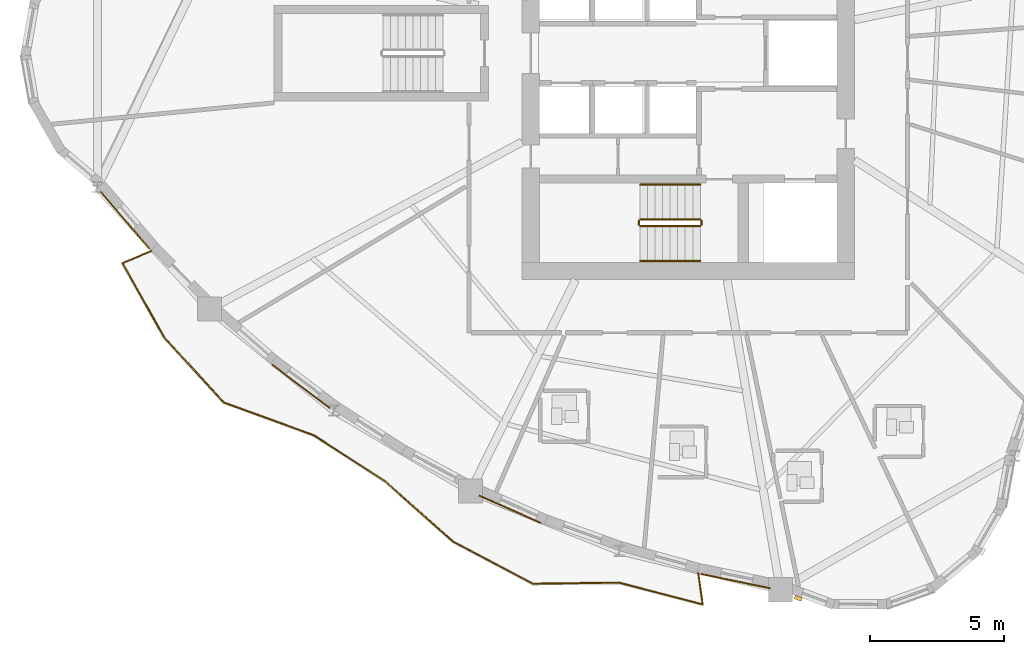
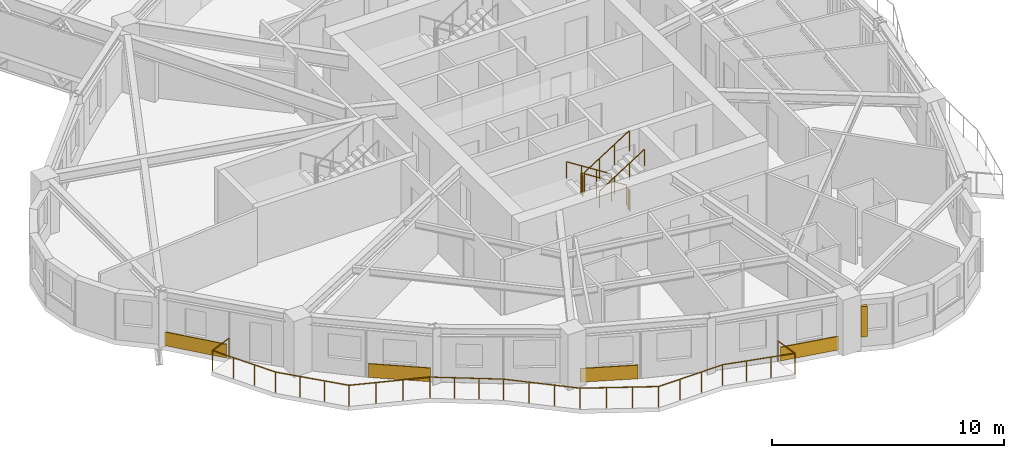
# One storey, part 13 of 16: 7 railings, 4 coverings, 1 shading device.
"""IFC4 building model written with IfcOpenShell, lengths in metres."""

from ifc_helpers import new_model, si_unit, direction, frame, origin, origin_2d, place, context, subcontext, project, spatial, rectangle, circle, extrude, source, transform, mapped, material, layer, layer_set, type_object, element, save


model = new_model("IFC4")

# Units and contexts
model_context = context("Model", 3, precision=1e-05, world=origin(), true_north=direction((0.0, 1.0)))
body_context = subcontext(model_context, "Body", "Model", "MODEL_VIEW")
ifc_project = project(units=[si_unit("LENGTHUNIT", "METRE"), si_unit("AREAUNIT", "SQUARE_METRE"), si_unit("VOLUMEUNIT", "CUBIC_METRE"), si_unit("PLANEANGLEUNIT", "RADIAN"), si_unit("MASSUNIT", "GRAM", prefix="KILO")], contexts=[model_context])

# Site, building, storey
site_placement = place(None, origin())
site = spatial("IfcSite", under=ifc_project, at=site_placement, CompositionType="ELEMENT")
building_placement = place(site_placement, origin())
building = spatial("IfcBuilding", under=site, at=building_placement, Name="Qafzar Sky-Pleat Residences", CompositionType="ELEMENT")
storey_placement = place(building_placement, frame((0.0, 0.0, 80.0)))
storey = spatial("IfcBuildingStorey", under=building, at=storey_placement, Name="L23", CompositionType="ELEMENT", Elevation=80.0)

# Shading device
ifc_material_1 = material(Name="Honed Riyadh limestone solar fin", Category="masonry")
ifc_layer_1 = layer(ifc_material_1, 0.139892578125)
ifc_layer_set_1 = layer_set([ifc_layer_1], Name="Honed Riyadh limestone solar fin")
shading_device_type = type_object("IfcShadingDeviceType", Name="SHD-FIN-STONE", PredefinedType="SHUTTER", material=ifc_layer_set_1)
shared_shape_1 = source(origin(), body_context, "Body", "SweptSolid", [
    extrude(rectangle(XDim=0.139892578125, YDim=0.280029296875, at=origin_2d()), origin(), (0.0, 0.0, 1.0), 1.60009765625),
])
shading_device_placement = place(storey_placement, frame((34.455810546875, 5.665283203125, 0.599853515625), z_axis=(0.0, 0.0, 1.0), x_axis=(-0.349823000797, -0.936815813334, 0.0)))
element("IfcShadingDevice", 1, at=shading_device_placement, inside=storey, type_object=shading_device_type, Name="L23 Limestone Solar Fin 17", PredefinedType="SHUTTER", context=body_context, shape_type="MappedRepresentation", body=[
    mapped(shared_shape_1, transform((0.0, 0.0, 0.0), x_axis=(1.0, 0.0, 0.0), y_axis=(0.0, 1.0, 0.0), z_axis=(0.0, 0.0, 1.0), scale=1.0)),
])

# Railing
ifc_material_2 = material(Name="Laminated glass and bronze steel balustrade", Category="steel")
railing_type_1 = type_object("IfcRailingType", Name="RAIL-BAL-1100", PredefinedType="BALUSTRADE", material=ifc_material_2)
shared_shape_2 = source(origin(), body_context, "Body", "SweptSolid", [
    extrude(circle(Radius=0.02392578125, at=origin_2d()), frame((0.0, 0.0, 1.076171875), z_axis=(-0.922855988527, -0.385145199165, 0.0), x_axis=(0.385145199165, -0.922855988527, 0.0)), (0.0, 0.0, 1.0), 1.177734375),
    extrude(circle(Radius=0.02392578125, at=origin_2d()), frame((-1.0869140625, -0.45361328125, 1.076171875), z_axis=(0.489456684431, -0.872027610839, 0.0), x_axis=(0.872027610839, 0.489456684431, 0.0)), (0.0, 0.0, 1.0), 3.17041015625),
    extrude(circle(Radius=0.02392578125, at=origin_2d()), frame((0.46484375, -3.21826171875, 1.076171875), z_axis=(0.675260283354, -0.73757952095, 0.0), x_axis=(0.73757952095, 0.675260283354, 0.0)), (0.0, 0.0, 1.0), 3.310302734375),
    extrude(circle(Radius=0.02392578125, at=origin_2d()), frame((2.7001953125, -5.659912109375, 1.076171875), z_axis=(0.939887504357, -0.341484229728, 0.0), x_axis=(0.341484229728, 0.939887504357, 0.0)), (0.0, 0.0, 1.0), 3.5595703125),
    extrude(circle(Radius=0.02392578125, at=origin_2d()), frame((6.0458984375, -6.87548828125, 1.076171875), z_axis=(0.840624110411, -0.541618966614, 0.0), x_axis=(0.541618966614, 0.840624110411, 0.0)), (0.0, 0.0, 1.0), 3.164794921875),
    extrude(circle(Radius=0.02392578125, at=origin_2d()), frame((8.706298828125, -8.589599609375, 1.076171875), z_axis=(0.747353471395, -0.664426661712, 0.0), x_axis=(0.664426661712, 0.747353471395, 0.0)), (0.0, 0.0, 1.0), 3.376708984375),
    extrude(circle(Radius=0.02392578125, at=origin_2d()), frame((11.22998046875, -10.833251953125, 1.076171875), z_axis=(0.883677346715, -0.468096514517, 0.0), x_axis=(0.468096514517, 0.883677346715, 0.0)), (0.0, 0.0, 1.0), 3.384521484375),
    extrude(circle(Radius=0.02392578125, at=origin_2d()), frame((14.220703125, -12.41748046875, 1.076171875), z_axis=(0.99991742699, 0.012850649822, 0.0), x_axis=(-0.012850649822, 0.99991742699, 0.0)), (0.0, 0.0, 1.0), 3.210693359375),
    extrude(circle(Radius=0.02392578125, at=origin_2d()), frame((17.43115234375, -12.376220703125, 1.076171875), z_axis=(0.967842378985, -0.251557407842, 0.0), x_axis=(0.251557407842, 0.967842378985, 0.0)), (0.0, 0.0, 1.0), 3.23095703125),
    extrude(circle(Radius=0.02392578125, at=origin_2d()), frame((20.55810546875, -13.18896484375, 1.076171875), z_axis=(-0.13927388454, 0.990253899303, 0.0), x_axis=(-0.990253899303, -0.13927388454, 0.0)), (0.0, 0.0, 1.0), 1.177978515625),
    extrude(circle(Radius=0.02099609375, at=origin_2d()), origin(), (0.0, 0.0, 1.0), 1.052001953125),
    extrude(circle(Radius=0.02099609375, at=origin_2d()), frame((-1.0869140625, -0.45361328125, 0.0)), (0.0, 0.0, 1.0), 1.052001953125),
    extrude(circle(Radius=0.02099609375, at=origin_2d()), frame((-0.569580078125, -1.375244140625, 0.0)), (0.0, 0.0, 1.0), 1.052001953125),
    extrude(circle(Radius=0.02099609375, at=origin_2d()), frame((-0.052490234375, -2.296630859375, 0.0)), (0.0, 0.0, 1.0), 1.052001953125),
    extrude(circle(Radius=0.02099609375, at=origin_2d()), frame((0.46484375, -3.21826171875, 0.0)), (0.0, 0.0, 1.0), 1.052001953125),
    extrude(circle(Radius=0.02099609375, at=origin_2d()), frame((1.2099609375, -4.0322265625, 0.0)), (0.0, 0.0, 1.0), 1.052001953125),
    extrude(circle(Radius=0.02099609375, at=origin_2d()), frame((1.955078125, -4.845947265625, 0.0)), (0.0, 0.0, 1.0), 1.052001953125),
    extrude(circle(Radius=0.02099609375, at=origin_2d()), frame((2.7001953125, -5.659912109375, 0.0)), (0.0, 0.0, 1.0), 1.052001953125),
    extrude(circle(Radius=0.02099609375, at=origin_2d()), frame((3.8154296875, -6.065185546875, 0.0)), (0.0, 0.0, 1.0), 1.052001953125),
    extrude(circle(Radius=0.02099609375, at=origin_2d()), frame((4.9306640625, -6.47021484375, 0.0)), (0.0, 0.0, 1.0), 1.052001953125),
    extrude(circle(Radius=0.02099609375, at=origin_2d()), frame((6.0458984375, -6.87548828125, 0.0)), (0.0, 0.0, 1.0), 1.052001953125),
    extrude(circle(Radius=0.02099609375, at=origin_2d()), frame((6.9326171875, -7.44677734375, 0.0)), (0.0, 0.0, 1.0), 1.052001953125),
    extrude(circle(Radius=0.02099609375, at=origin_2d()), frame((7.819580078125, -8.018310546875, 0.0)), (0.0, 0.0, 1.0), 1.052001953125),
    extrude(circle(Radius=0.02099609375, at=origin_2d()), frame((8.706298828125, -8.589599609375, 0.0)), (0.0, 0.0, 1.0), 1.052001953125),
    extrude(circle(Radius=0.02099609375, at=origin_2d()), frame((9.547607421875, -9.33740234375, 0.0)), (0.0, 0.0, 1.0), 1.052001953125),
    extrude(circle(Radius=0.02099609375, at=origin_2d()), frame((10.388671875, -10.08544921875, 0.0)), (0.0, 0.0, 1.0), 1.052001953125),
    extrude(circle(Radius=0.02099609375, at=origin_2d()), frame((11.22998046875, -10.833251953125, 0.0)), (0.0, 0.0, 1.0), 1.052001953125),
    extrude(circle(Radius=0.02099609375, at=origin_2d()), frame((12.226806640625, -11.361328125, 0.0)), (0.0, 0.0, 1.0), 1.052001953125),
    extrude(circle(Radius=0.02099609375, at=origin_2d()), frame((13.223876953125, -11.889404296875, 0.0)), (0.0, 0.0, 1.0), 1.052001953125),
    extrude(circle(Radius=0.02099609375, at=origin_2d()), frame((14.220703125, -12.41748046875, 0.0)), (0.0, 0.0, 1.0), 1.052001953125),
    extrude(circle(Radius=0.02099609375, at=origin_2d()), frame((15.290771484375, -12.40380859375, 0.0)), (0.0, 0.0, 1.0), 1.052001953125),
    extrude(circle(Radius=0.02099609375, at=origin_2d()), frame((16.361083984375, -12.389892578125, 0.0)), (0.0, 0.0, 1.0), 1.052001953125),
    extrude(circle(Radius=0.02099609375, at=origin_2d()), frame((17.43115234375, -12.376220703125, 0.0)), (0.0, 0.0, 1.0), 1.052001953125),
    extrude(circle(Radius=0.02099609375, at=origin_2d()), frame((18.473388671875, -12.647216796875, 0.0)), (0.0, 0.0, 1.0), 1.052001953125),
    extrude(circle(Radius=0.02099609375, at=origin_2d()), frame((19.515869140625, -12.91796875, 0.0)), (0.0, 0.0, 1.0), 1.052001953125),
    extrude(circle(Radius=0.02099609375, at=origin_2d()), frame((20.55810546875, -13.18896484375, 0.0)), (0.0, 0.0, 1.0), 1.052001953125),
    extrude(circle(Radius=0.02099609375, at=origin_2d()), frame((20.39404296875, -12.0224609375, 0.0)), (0.0, 0.0, 1.0), 1.052001953125),
])
railing_1_placement = place(storey_placement, frame((10.333251953125, 18.625732421875, 0.0)))
element("IfcRailing", 2, at=railing_1_placement, inside=storey, type_object=railing_type_1, Name="L23 Pleated Balcony 2 Balustrade", PredefinedType="BALUSTRADE", context=body_context, shape_type="MappedRepresentation", body=[
    mapped(shared_shape_2, transform((0.0, 0.0, 0.0), x_axis=(1.0, 0.0, 0.0), y_axis=(0.0, 1.0, 0.0), z_axis=(0.0, 0.0, 1.0), scale=1.0)),
])

# Coverings
ifc_material_3 = material(Name="Honed Riyadh Tuwaiq limestone cladding", Category="masonry")
ifc_layer_2 = layer(ifc_material_3, 0.044921875)
ifc_layer_set_2 = layer_set([ifc_layer_2], Name="Honed Riyadh Tuwaiq limestone cladding")
covering_type = type_object("IfcCoveringType", Name="COV-CLAD-STONE", PredefinedType="CLADDING", material=ifc_layer_set_2)
shared_shape_3 = source(origin(), body_context, "Body", "SweptSolid", [
    extrude(rectangle(XDim=2.8291015625, YDim=0.044921875, at=origin_2d()), origin(), (0.0, 0.0, 1.0), 0.719970703125),
])
covering_1_placement = place(storey_placement, frame((9.32958984375, 19.78076171875, 0.02001953125), z_axis=(0.0, 0.0, 1.0), x_axis=(0.650752076981, -0.759290283294, 0.0)))
element("IfcCovering", 3, at=covering_1_placement, inside=storey, type_object=covering_type, Name="L23 Riyadh Limestone Spandrel Cladding 7", PredefinedType="CLADDING", context=body_context, shape_type="MappedRepresentation", body=[
    mapped(shared_shape_3, transform((0.0, 0.0, 0.0), x_axis=(1.0, 0.0, 0.0), y_axis=(0.0, 1.0, 0.0), z_axis=(0.0, 0.0, 1.0), scale=1.0)),
])
shared_shape_4 = source(origin(), body_context, "Body", "SweptSolid", [
    extrude(rectangle(XDim=2.695068359375, YDim=0.044921875, at=origin_2d()), origin(), (0.0, 0.0, 1.0), 0.719970703125),
])
covering_2_placement = place(storey_placement, frame((15.90673828125, 13.568603515625, 0.02001953125), z_axis=(0.0, 0.0, 1.0), x_axis=(0.798378158073, -0.602156388916, 0.0)))
element("IfcCovering", 4, at=covering_2_placement, inside=storey, type_object=covering_type, Name="L23 Riyadh Limestone Spandrel Cladding 10", PredefinedType="CLADDING", context=body_context, shape_type="MappedRepresentation", body=[
    mapped(shared_shape_4, transform((0.0, 0.0, 0.0), x_axis=(1.0, 0.0, 0.0), y_axis=(0.0, 1.0, 0.0), z_axis=(0.0, 0.0, 1.0), scale=1.0)),
])
shared_shape_5 = source(origin(), body_context, "Body", "SweptSolid", [
    extrude(rectangle(XDim=2.510498046875, YDim=0.044921875, at=origin_2d()), origin(), (0.0, 0.0, 1.0), 0.719970703125),
])
covering_3_placement = place(storey_placement, frame((23.697265625, 8.989501953125, 0.02001953125), z_axis=(0.0, 0.0, 1.0), x_axis=(0.913437161695, -0.406979792661, 0.0)))
element("IfcCovering", 5, at=covering_3_placement, inside=storey, type_object=covering_type, Name="L23 Riyadh Limestone Spandrel Cladding 13", PredefinedType="CLADDING", context=body_context, shape_type="MappedRepresentation", body=[
    mapped(shared_shape_5, transform((0.0, 0.0, 0.0), x_axis=(1.0, 0.0, 0.0), y_axis=(0.0, 1.0, 0.0), z_axis=(0.0, 0.0, 1.0), scale=1.0)),
])
shared_shape_6 = source(origin(), body_context, "Body", "SweptSolid", [
    extrude(rectangle(XDim=2.644775390625, YDim=0.044921875, at=origin_2d()), origin(), (0.0, 0.0, 1.0), 0.719970703125),
])
covering_4_placement = place(storey_placement, frame((32.123046875, 6.304931640625, 0.02001953125), z_axis=(0.0, 0.0, 1.0), x_axis=(0.979433511732, -0.201767182901, 0.0)))
element("IfcCovering", 6, at=covering_4_placement, inside=storey, type_object=covering_type, Name="L23 Riyadh Limestone Spandrel Cladding 16", PredefinedType="CLADDING", context=body_context, shape_type="MappedRepresentation", body=[
    mapped(shared_shape_6, transform((0.0, 0.0, 0.0), x_axis=(1.0, 0.0, 0.0), y_axis=(0.0, 1.0, 0.0), z_axis=(0.0, 0.0, 1.0), scale=1.0)),
])

# Railings
ifc_material_4 = material(Name="Painted Steel S355 stair guardrail", Category="steel")
railing_type_2 = type_object("IfcRailingType", Name="RAIL-STAIR-GUARD", PredefinedType="GUARDRAIL", material=ifc_material_4)
shared_shape_7 = source(origin(), body_context, "Body", "SweptSolid", [
    extrude(circle(Radius=0.02392578125, at=origin_2d()), frame((0.0, 0.0, 1.076171875), z_axis=(0.0, -1.0, 0.0), x_axis=(1.0, 0.0, 0.0)), (0.0, 0.0, 1.0), 0.14990234375),
    extrude(circle(Radius=0.02099609375, at=origin_2d()), origin(), (0.0, 0.0, 1.0), 1.052001953125),
    extrude(circle(Radius=0.02099609375, at=origin_2d()), frame((0.0, -0.14990234375, 0.0)), (0.0, 0.0, 1.0), 1.052001953125),
])
for number, where, name in (
    (7, (28.510009765625, 19.75, 1.60009765625), "L23 ST1 stair guard 2"),
    (8, (30.85009765625, 19.75, 0.0), "L23 ST1 stair guard 4"),
):
    element("IfcRailing", number, at=place(storey_placement, frame(where)), inside=storey, type_object=railing_type_2, Name=name, PredefinedType="GUARDRAIL", context=body_context, shape_type="MappedRepresentation", body=[
        mapped(shared_shape_7, transform((0.0, 0.0, 0.0), x_axis=(1.0, 0.0, 0.0), y_axis=(0.0, 1.0, 0.0), z_axis=(0.0, 0.0, 1.0), scale=1.0)),
    ])
shared_shape_8 = source(origin(), body_context, "Body", "SweptSolid", [
    extrude(circle(Radius=0.02392578125, at=origin_2d()), frame((0.0, 0.0, 1.076171875), z_axis=(0.8442293374, 0.0, 0.53598211339), x_axis=(0.0, 1.0, 0.0)), (0.0, 0.0, 1.0), 2.6533203125),
    extrude(circle(Radius=0.02099609375, at=origin_2d()), origin(), (0.0, 0.0, 1.0), 1.052001953125),
    extrude(circle(Radius=0.02099609375, at=origin_2d()), frame((0.74658203125, 0.0, 0.47412109375)), (0.0, 0.0, 1.0), 1.052001953125),
    extrude(circle(Radius=0.02099609375, at=origin_2d()), frame((1.493408203125, 0.0, 0.947998046875)), (0.0, 0.0, 1.0), 1.052001953125),
    extrude(circle(Radius=0.02099609375, at=origin_2d()), frame((2.239990234375, 0.0, 1.422119140625)), (0.0, 0.0, 1.0), 1.052001953125),
])
railing_2_placement = place(storey_placement, frame((28.56005859375, 19.550048828125, 1.77783203125)))
element("IfcRailing", 9, at=railing_2_placement, inside=storey, type_object=railing_type_2, Name="L23 ST1 stair guard 3", PredefinedType="GUARDRAIL", context=body_context, shape_type="MappedRepresentation", body=[
    mapped(shared_shape_8, transform((0.0, 0.0, 0.0), x_axis=(1.0, 0.0, 0.0), y_axis=(0.0, 1.0, 0.0), z_axis=(0.0, 0.0, 1.0), scale=1.0)),
])
ifc_material_5 = material(Name="Brushed stainless steel handrail", Category="steel")
railing_type_3 = type_object("IfcRailingType", Name="RAIL-STAIR-HAND", PredefinedType="HANDRAIL", material=ifc_material_5)
shared_shape_9 = source(origin(), body_context, "Body", "SweptSolid", [
    extrude(circle(Radius=0.02392578125, at=origin_2d()), frame((0.0, 0.0, 0.8759765625), z_axis=(0.8442293374, 0.0, 0.53598211339), x_axis=(0.0, 1.0, 0.0)), (0.0, 0.0, 1.0), 2.6533203125),
    extrude(circle(Radius=0.02099609375, at=origin_2d()), origin(), (0.0, 0.0, 1.0), 0.851806640625),
    extrude(circle(Radius=0.02099609375, at=origin_2d()), frame((0.74658203125, 0.0, 0.47412109375)), (0.0, 0.0, 1.0), 0.851806640625),
    extrude(circle(Radius=0.02099609375, at=origin_2d()), frame((1.493408203125, 0.0, 0.947998046875)), (0.0, 0.0, 1.0), 0.851806640625),
    extrude(circle(Radius=0.02099609375, at=origin_2d()), frame((2.239990234375, 0.0, 1.422119140625)), (0.0, 0.0, 1.0), 0.851806640625),
])
railing_3_placement = place(storey_placement, frame((28.56005859375, 18.25, 1.77783203125)))
element("IfcRailing", 10, at=railing_3_placement, inside=storey, type_object=railing_type_3, Name="L23 ST1 stair handrail 2", PredefinedType="HANDRAIL", context=body_context, shape_type="MappedRepresentation", body=[
    mapped(shared_shape_9, transform((0.0, 0.0, 0.0), x_axis=(1.0, 0.0, 0.0), y_axis=(0.0, 1.0, 0.0), z_axis=(0.0, 0.0, 1.0), scale=1.0)),
])
shared_shape_10 = source(origin(), body_context, "Body", "SweptSolid", [
    extrude(circle(Radius=0.02392578125, at=origin_2d()), frame((0.0, 0.0, 1.076171875), z_axis=(-0.84418770128, 0.0, 0.536047689118), x_axis=(0.0, -1.0, 0.0)), (0.0, 0.0, 1.0), 2.6533203125),
    extrude(circle(Radius=0.02099609375, at=origin_2d()), origin(), (0.0, 0.0, 1.0), 1.052001953125),
    extrude(circle(Radius=0.02099609375, at=origin_2d()), frame((-0.74658203125, 0.0, 0.47412109375)), (0.0, 0.0, 1.0), 1.052001953125),
    extrude(circle(Radius=0.02099609375, at=origin_2d()), frame((-1.493408203125, 0.0, 0.9482421875)), (0.0, 0.0, 1.0), 1.052001953125),
    extrude(circle(Radius=0.02099609375, at=origin_2d()), frame((-2.239990234375, 0.0, 1.42236328125)), (0.0, 0.0, 1.0), 1.052001953125),
])
railing_4_placement = place(storey_placement, frame((30.800048828125, 19.800048828125, 0.177734375)))
element("IfcRailing", 11, at=railing_4_placement, inside=storey, type_object=railing_type_2, Name="L23 ST1 stair guard 1", PredefinedType="GUARDRAIL", context=body_context, shape_type="MappedRepresentation", body=[
    mapped(shared_shape_10, transform((0.0, 0.0, 0.0), x_axis=(1.0, 0.0, 0.0), y_axis=(0.0, 1.0, 0.0), z_axis=(0.0, 0.0, 1.0), scale=1.0)),
])
shared_shape_11 = source(origin(), body_context, "Body", "SweptSolid", [
    extrude(circle(Radius=0.02392578125, at=origin_2d()), frame((0.0, 0.0, 0.8759765625), z_axis=(-0.84418770128, 0.0, 0.536047689118), x_axis=(0.0, -1.0, 0.0)), (0.0, 0.0, 1.0), 2.6533203125),
    extrude(circle(Radius=0.02099609375, at=origin_2d()), origin(), (0.0, 0.0, 1.0), 0.851806640625),
    extrude(circle(Radius=0.02099609375, at=origin_2d()), frame((-0.74658203125, 0.0, 0.47412109375)), (0.0, 0.0, 1.0), 0.851806640625),
    extrude(circle(Radius=0.02099609375, at=origin_2d()), frame((-1.493408203125, 0.0, 0.9482421875)), (0.0, 0.0, 1.0), 0.851806640625),
    extrude(circle(Radius=0.02099609375, at=origin_2d()), frame((-2.239990234375, 0.0, 1.42236328125)), (0.0, 0.0, 1.0), 0.851806640625),
])
railing_5_placement = place(storey_placement, frame((30.800048828125, 21.10009765625, 0.177734375)))
element("IfcRailing", 12, at=railing_5_placement, inside=storey, type_object=railing_type_3, Name="L23 ST1 stair handrail 1", PredefinedType="HANDRAIL", context=body_context, shape_type="MappedRepresentation", body=[
    mapped(shared_shape_11, transform((0.0, 0.0, 0.0), x_axis=(1.0, 0.0, 0.0), y_axis=(0.0, 1.0, 0.0), z_axis=(0.0, 0.0, 1.0), scale=1.0)),
])

save(model, "model.ifc")
